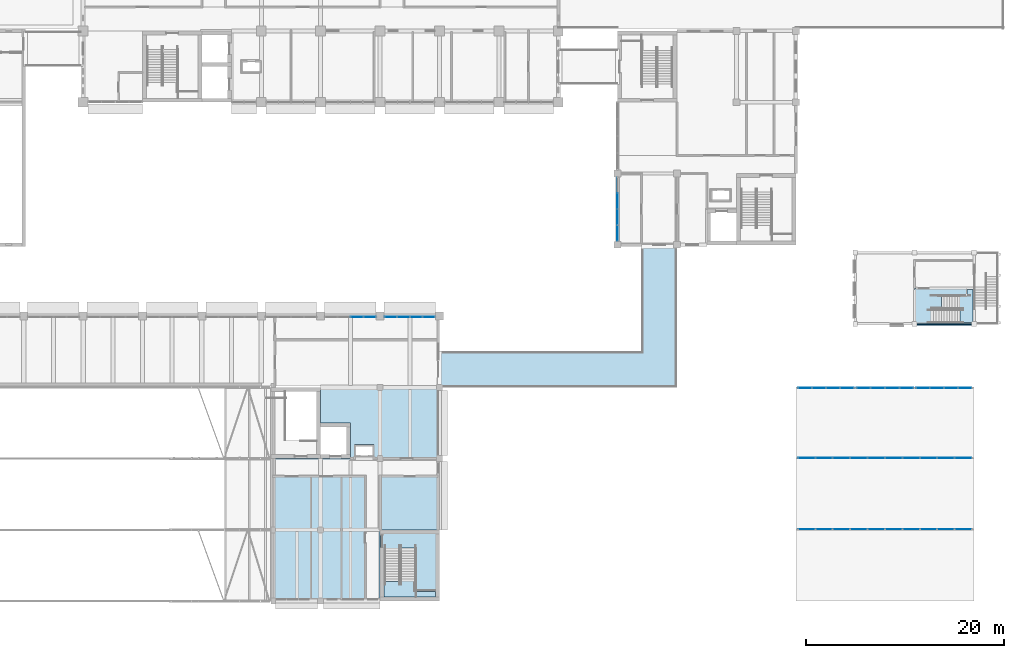
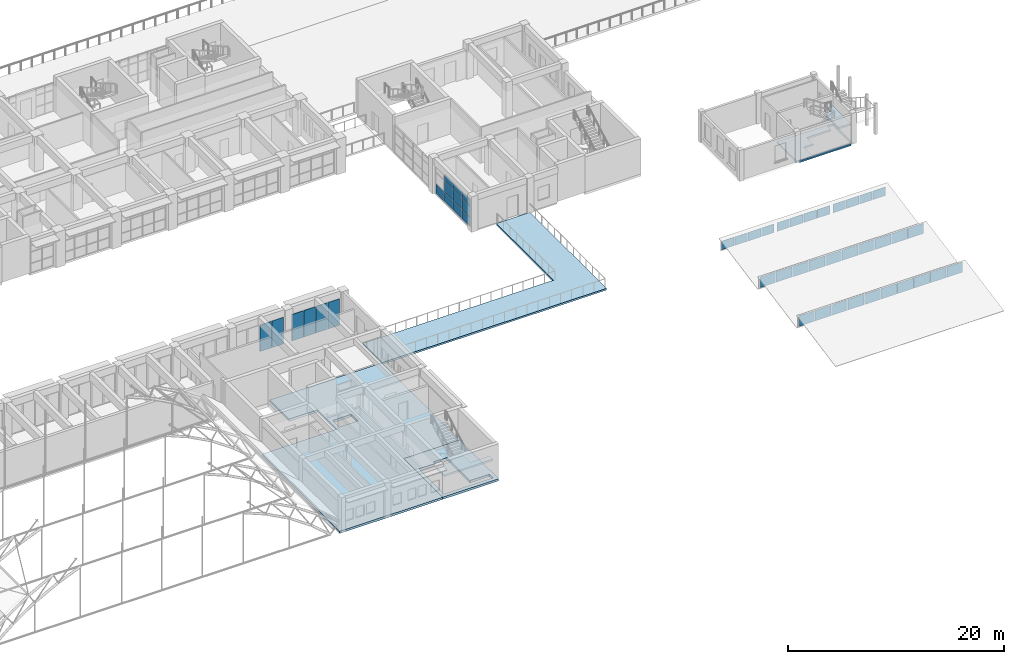
# One storey, part 62 of 101: 48 plates, 7 slabs, 10 elements without a shape of their own.
"""IFC4 building model written with IfcOpenShell, lengths in metres."""

from ifc_helpers import new_model, si_unit, direction, frame, origin, origin_2d, place, context, subcontext, project, spatial, polyline, rectangle, outline, extrude, material, layer, layer_set, type_object, element, aggregate, save


model = new_model("IFC4")

# Units and contexts
model_context = context("Model", 3, precision=1e-05, world=origin(), true_north=direction((0.0, 1.0)))
body_context = subcontext(model_context, "Body", "Model", "MODEL_VIEW")
ifc_project = project(units=[si_unit("LENGTHUNIT", "METRE"), si_unit("AREAUNIT", "SQUARE_METRE"), si_unit("VOLUMEUNIT", "CUBIC_METRE"), si_unit("PLANEANGLEUNIT", "RADIAN"), si_unit("MASSUNIT", "GRAM", prefix="KILO")], contexts=[model_context])

# Site, building, storey
site_placement = place(None, origin())
site = spatial("IfcSite", under=ifc_project, at=site_placement, CompositionType="ELEMENT")
building_placement = place(site_placement, origin())
building = spatial("IfcBuilding", under=site, at=building_placement, Name="Laocheng Heights Fire and Rescue Headquarters", CompositionType="ELEMENT")
storey_placement = place(building_placement, frame((0.0, 0.0, 8.39990234375)))
storey = spatial("IfcBuildingStorey", under=building, at=storey_placement, Name="L02", CompositionType="ELEMENT", Elevation=8.39990234375)

# Curtain wall, plates
ifc_material_1 = material(Name="Dark anodised aluminium unitised curtain wall, low-e double glazing", Category="aluminium")
curtain_wall_type_1 = type_object("IfcCurtainWallType", Name="CW 6500 x 3200 CREW COURT GLAZING", PredefinedType="NOTDEFINED", material=ifc_material_1)
curtain_wall_1_placement = place(storey_placement, origin())
curtain_wall_1 = element("IfcCurtainWall", 1, at=curtain_wall_1_placement, inside=storey, type_object=curtain_wall_type_1, Name="X4-W CREW WEST L02", PredefinedType="NOTDEFINED")
ifc_material_2 = material(Name="Laminated safety glass, low-e double glazed unit", Category="glass")
ifc_layer_1 = layer(ifc_material_2, 0.0400390625)
ifc_layer_set_1 = layer_set([ifc_layer_1], Name="Laminated safety glass, low-e double glazed unit")
plate_type_1 = type_object("IfcPlateType", Name="CW LAMINATED SAFETY PANEL 40 W", PredefinedType="CURTAIN_PANEL", material=ifc_layer_set_1)
plate_1_placement = place(storey_placement, frame((90.0, 37.177490234375, 0.050048828125), z_axis=(0.0, 0.0, 1.0), x_axis=(0.0, 1.0, 0.0)))
plate_1 = element("IfcPlate", 2, at=plate_1_placement, type_object=plate_type_1, Name="X4-W panel 1.1", PredefinedType="CURTAIN_PANEL", context=body_context, shape_type="SweptSolid", body=[
    extrude(rectangle(XDim=1.534912109375, YDim=0.0400390625, at=origin_2d()), origin(), (0.0, 0.0, 1.0), 1.02490234375),
])
plate_2_placement = place(storey_placement, frame((90.0, 38.78759765625, 0.050048828125), z_axis=(0.0, 0.0, 1.0), x_axis=(0.0, 1.0, 0.0)))
plate_2 = element("IfcPlate", 3, at=plate_2_placement, type_object=plate_type_1, Name="X4-W panel 2.1", PredefinedType="CURTAIN_PANEL", context=body_context, shape_type="SweptSolid", body=[
    extrude(rectangle(XDim=1.56494140625, YDim=0.0400390625, at=origin_2d()), origin(), (0.0, 0.0, 1.0), 1.02490234375),
])
plate_3_placement = place(storey_placement, frame((90.0, 40.41259765625, 0.050048828125), z_axis=(0.0, 0.0, 1.0), x_axis=(0.0, 1.0, 0.0)))
plate_3 = element("IfcPlate", 4, at=plate_3_placement, type_object=plate_type_1, Name="X4-W panel 3.1", PredefinedType="CURTAIN_PANEL", context=body_context, shape_type="SweptSolid", body=[
    extrude(rectangle(XDim=1.56494140625, YDim=0.0400390625, at=origin_2d()), origin(), (0.0, 0.0, 1.0), 1.02490234375),
])
plate_4_placement = place(storey_placement, frame((90.0, 42.0224609375, 0.050048828125), z_axis=(0.0, 0.0, 1.0), x_axis=(0.0, 1.0, 0.0)))
plate_4 = element("IfcPlate", 5, at=plate_4_placement, type_object=plate_type_1, Name="X4-W panel 4.1", PredefinedType="CURTAIN_PANEL", context=body_context, shape_type="SweptSolid", body=[
    extrude(rectangle(XDim=1.534912109375, YDim=0.0400390625, at=origin_2d()), origin(), (0.0, 0.0, 1.0), 1.02490234375),
])

ifc_material_3 = material(Name="Aluminium unitised curtain wall, low-e double glazing", Category="aluminium")
curtain_wall_type_2 = type_object("IfcCurtainWallType", Name="CW 5200 x 3200 GALLERY UNIT", PredefinedType="NOTDEFINED", material=ifc_material_3)
curtain_wall_2_placement = place(storey_placement, origin())
curtain_wall_2 = element("IfcCurtainWall", 6, at=curtain_wall_2_placement, inside=storey, type_object=curtain_wall_type_2, Name="Gallery north glazing L02", PredefinedType="NOTDEFINED")
ifc_material_4 = material(Name="Aluminium shadow-box panel, insulated and back-painted", Category="aluminium")
ifc_layer_2 = layer(ifc_material_4, 0.06005859375)
ifc_layer_set_2 = layer_set([ifc_layer_2], Name="Aluminium shadow-box panel, insulated and back-painted")
plate_type_2 = type_object("IfcPlateType", Name="CW SHADOW BOX PANEL 60", PredefinedType="CURTAIN_PANEL", material=ifc_layer_set_2)
plate_5_placement = place(storey_placement, frame((63.64990234375, 28.699951171875, 0.10009765625), z_axis=(0.0, 0.0, 1.0), x_axis=(1.0, 0.0, 0.0)))
plate_5 = element("IfcPlate", 7, at=plate_5_placement, type_object=plate_type_2, Name="X4-E panel 3.1", PredefinedType="CURTAIN_PANEL", context=body_context, shape_type="SweptSolid", body=[
    extrude(rectangle(XDim=1.239990234375, YDim=0.06005859375, at=origin_2d()), origin(), (0.0, 0.0, 1.0), 3.0),
])
plate_6_placement = place(storey_placement, frame((64.93505859375, 28.699951171875, 0.10009765625), z_axis=(0.0, 0.0, 1.0), x_axis=(1.0, 0.0, 0.0)))
plate_6 = element("IfcPlate", 8, at=plate_6_placement, type_object=plate_type_2, Name="X4-E panel 4.1", PredefinedType="CURTAIN_PANEL", context=body_context, shape_type="SweptSolid", body=[
    extrude(rectangle(XDim=1.2099609375, YDim=0.06005859375, at=origin_2d()), origin(), (0.0, 0.0, 1.0), 3.0),
])
aggregate(curtain_wall_2, [plate_5, plate_6])

curtain_wall_3_placement = place(storey_placement, origin())
curtain_wall_3 = element("IfcCurtainWall", 9, at=curtain_wall_3_placement, inside=storey, type_object=curtain_wall_type_2, Name="Gallery north glazing L02", PredefinedType="NOTDEFINED")
plate_7_placement = place(storey_placement, frame((67.06494140625, 28.699951171875, 0.10009765625), z_axis=(0.0, 0.0, 1.0), x_axis=(1.0, 0.0, 0.0)))
plate_7 = element("IfcPlate", 10, at=plate_7_placement, type_object=plate_type_2, Name="X4-E panel 1.1", PredefinedType="CURTAIN_PANEL", context=body_context, shape_type="SweptSolid", body=[
    extrude(rectangle(XDim=1.2099609375, YDim=0.06005859375, at=origin_2d()), origin(), (0.0, 0.0, 1.0), 3.0),
])
plate_8_placement = place(storey_placement, frame((68.35009765625, 28.699951171875, 0.10009765625), z_axis=(0.0, 0.0, 1.0), x_axis=(1.0, 0.0, 0.0)))
plate_8 = element("IfcPlate", 11, at=plate_8_placement, type_object=plate_type_2, Name="X4-E panel 2.1", PredefinedType="CURTAIN_PANEL", context=body_context, shape_type="SweptSolid", body=[
    extrude(rectangle(XDim=1.239990234375, YDim=0.06005859375, at=origin_2d()), origin(), (0.0, 0.0, 1.0), 3.0),
])
plate_9_placement = place(storey_placement, frame((69.64990234375, 28.699951171875, 0.10009765625), z_axis=(0.0, 0.0, 1.0), x_axis=(1.0, 0.0, 0.0)))
plate_9 = element("IfcPlate", 12, at=plate_9_placement, type_object=plate_type_2, Name="X4-E panel 3.1", PredefinedType="CURTAIN_PANEL", context=body_context, shape_type="SweptSolid", body=[
    extrude(rectangle(XDim=1.239990234375, YDim=0.06005859375, at=origin_2d()), origin(), (0.0, 0.0, 1.0), 3.0),
])
plate_10_placement = place(storey_placement, frame((70.93505859375, 28.699951171875, 0.10009765625), z_axis=(0.0, 0.0, 1.0), x_axis=(1.0, 0.0, 0.0)))
plate_10 = element("IfcPlate", 13, at=plate_10_placement, type_object=plate_type_2, Name="X4-E panel 4.1", PredefinedType="CURTAIN_PANEL", context=body_context, shape_type="SweptSolid", body=[
    extrude(rectangle(XDim=1.2099609375, YDim=0.06005859375, at=origin_2d()), origin(), (0.0, 0.0, 1.0), 3.0),
])
aggregate(curtain_wall_3, [plate_7, plate_8, plate_9, plate_10])

ifc_material_5 = material(Name="Aluminium unitised curtain wall, low-e double glazing", Category="aluminium")
curtain_wall_type_3 = type_object("IfcCurtainWallType", Name="CW 17600 x 1388 WORKSHOP UNIT", PredefinedType="NOTDEFINED", material=ifc_material_5)
curtain_wall_4_placement = place(storey_placement, origin())
curtain_wall_4 = element("IfcCurtainWall", 14, at=curtain_wall_4_placement, inside=storey, type_object=curtain_wall_type_3, Name="Sawtooth glazing tooth 1", PredefinedType="NOTDEFINED")
ifc_material_6 = material(Name="Low-e double glazed unit, laminated inner pane")
ifc_layer_3 = layer(ifc_material_6, 0.028076171875)
ifc_layer_set_3 = layer_set([ifc_layer_3], Name="Low-e double glazed unit, laminated inner pane")
plate_type_3 = type_object("IfcPlateType", Name="CW VISION PANEL 28 LOW-E SAWTOOTH", PredefinedType="CURTAIN_PANEL", material=ifc_layer_set_3)
plate_11_placement = place(storey_placement, frame((109.094970703125, 7.260009765625, 0.11181640625), z_axis=(0.0, 0.0, 1.0), x_axis=(1.0, 0.0, 0.0)))
plate_11 = element("IfcPlate", 15, at=plate_11_placement, type_object=plate_type_3, Name="X1-O panel 1.1", PredefinedType="CURTAIN_PANEL", context=body_context, shape_type="SweptSolid", body=[
    extrude(rectangle(XDim=1.669921875, YDim=0.028076171875, at=origin_2d()), origin(), (0.0, 0.0, 1.0), 1.188232421875),
])
plate_12_placement = place(storey_placement, frame((110.840087890625, 7.260009765625, 0.11181640625), z_axis=(0.0, 0.0, 1.0), x_axis=(1.0, 0.0, 0.0)))
plate_12 = element("IfcPlate", 16, at=plate_12_placement, type_object=plate_type_3, Name="X1-O panel 2.1", PredefinedType="CURTAIN_PANEL", context=body_context, shape_type="SweptSolid", body=[
    extrude(rectangle(XDim=1.699951171875, YDim=0.028076171875, at=origin_2d()), origin(), (0.0, 0.0, 1.0), 1.188232421875),
])
plate_13_placement = place(storey_placement, frame((112.60009765625, 7.260009765625, 0.11181640625), z_axis=(0.0, 0.0, 1.0), x_axis=(1.0, 0.0, 0.0)))
plate_13 = element("IfcPlate", 17, at=plate_13_placement, type_object=plate_type_3, Name="X1-O panel 3.1", PredefinedType="CURTAIN_PANEL", context=body_context, shape_type="SweptSolid", body=[
    extrude(rectangle(XDim=1.699951171875, YDim=0.028076171875, at=origin_2d()), origin(), (0.0, 0.0, 1.0), 1.188232421875),
])
plate_14_placement = place(storey_placement, frame((114.360107421875, 7.260009765625, 0.11181640625), z_axis=(0.0, 0.0, 1.0), x_axis=(1.0, 0.0, 0.0)))
plate_14 = element("IfcPlate", 18, at=plate_14_placement, type_object=plate_type_3, Name="X1-O panel 4.1", PredefinedType="CURTAIN_PANEL", context=body_context, shape_type="SweptSolid", body=[
    extrude(rectangle(XDim=1.699951171875, YDim=0.028076171875, at=origin_2d()), origin(), (0.0, 0.0, 1.0), 1.188232421875),
])
plate_15_placement = place(storey_placement, frame((116.1201171875, 7.260009765625, 0.11181640625), z_axis=(0.0, 0.0, 1.0), x_axis=(1.0, 0.0, 0.0)))
plate_15 = element("IfcPlate", 19, at=plate_15_placement, type_object=plate_type_3, Name="X1-O panel 5.1", PredefinedType="CURTAIN_PANEL", context=body_context, shape_type="SweptSolid", body=[
    extrude(rectangle(XDim=1.699951171875, YDim=0.028076171875, at=origin_2d()), origin(), (0.0, 0.0, 1.0), 1.188232421875),
])
plate_16_placement = place(storey_placement, frame((117.8798828125, 7.260009765625, 0.11181640625), z_axis=(0.0, 0.0, 1.0), x_axis=(1.0, 0.0, 0.0)))
plate_16 = element("IfcPlate", 20, at=plate_16_placement, type_object=plate_type_3, Name="X1-O panel 6.1", PredefinedType="CURTAIN_PANEL", context=body_context, shape_type="SweptSolid", body=[
    extrude(rectangle(XDim=1.699951171875, YDim=0.028076171875, at=origin_2d()), origin(), (0.0, 0.0, 1.0), 1.188232421875),
])
plate_17_placement = place(storey_placement, frame((119.639892578125, 7.260009765625, 0.11181640625), z_axis=(0.0, 0.0, 1.0), x_axis=(1.0, 0.0, 0.0)))
plate_17 = element("IfcPlate", 21, at=plate_17_placement, type_object=plate_type_3, Name="X1-O panel 7.1", PredefinedType="CURTAIN_PANEL", context=body_context, shape_type="SweptSolid", body=[
    extrude(rectangle(XDim=1.699951171875, YDim=0.028076171875, at=origin_2d()), origin(), (0.0, 0.0, 1.0), 1.188232421875),
])
plate_18_placement = place(storey_placement, frame((121.39990234375, 7.260009765625, 0.11181640625), z_axis=(0.0, 0.0, 1.0), x_axis=(1.0, 0.0, 0.0)))
plate_18 = element("IfcPlate", 22, at=plate_18_placement, type_object=plate_type_3, Name="X1-O panel 8.1", PredefinedType="CURTAIN_PANEL", context=body_context, shape_type="SweptSolid", body=[
    extrude(rectangle(XDim=1.699951171875, YDim=0.028076171875, at=origin_2d()), origin(), (0.0, 0.0, 1.0), 1.188232421875),
])
plate_19_placement = place(storey_placement, frame((123.159912109375, 7.260009765625, 0.11181640625), z_axis=(0.0, 0.0, 1.0), x_axis=(1.0, 0.0, 0.0)))
plate_19 = element("IfcPlate", 23, at=plate_19_placement, type_object=plate_type_3, Name="X1-O panel 9.1", PredefinedType="CURTAIN_PANEL", context=body_context, shape_type="SweptSolid", body=[
    extrude(rectangle(XDim=1.699951171875, YDim=0.028076171875, at=origin_2d()), origin(), (0.0, 0.0, 1.0), 1.188232421875),
])
plate_20_placement = place(storey_placement, frame((124.905029296875, 7.260009765625, 0.11181640625), z_axis=(0.0, 0.0, 1.0), x_axis=(1.0, 0.0, 0.0)))
plate_20 = element("IfcPlate", 24, at=plate_20_placement, type_object=plate_type_3, Name="X1-O panel 10.1", PredefinedType="CURTAIN_PANEL", context=body_context, shape_type="SweptSolid", body=[
    extrude(rectangle(XDim=1.669921875, YDim=0.028076171875, at=origin_2d()), origin(), (0.0, 0.0, 1.0), 1.188232421875),
])
aggregate(curtain_wall_4, [plate_11, plate_12, plate_13, plate_14, plate_15, plate_16, plate_17, plate_18, plate_19, plate_20])

curtain_wall_5_placement = place(storey_placement, origin())
curtain_wall_5 = element("IfcCurtainWall", 25, at=curtain_wall_5_placement, inside=storey, type_object=curtain_wall_type_3, Name="Sawtooth glazing tooth 2", PredefinedType="NOTDEFINED")
plate_21_placement = place(storey_placement, frame((109.094970703125, 14.4599609375, 0.11181640625), z_axis=(0.0, 0.0, 1.0), x_axis=(1.0, 0.0, 0.0)))
plate_21 = element("IfcPlate", 26, at=plate_21_placement, type_object=plate_type_3, Name="X1-O panel 1.1", PredefinedType="CURTAIN_PANEL", context=body_context, shape_type="SweptSolid", body=[
    extrude(rectangle(XDim=1.669921875, YDim=0.028076171875, at=origin_2d()), origin(), (0.0, 0.0, 1.0), 1.188232421875),
])
plate_22_placement = place(storey_placement, frame((110.840087890625, 14.4599609375, 0.11181640625), z_axis=(0.0, 0.0, 1.0), x_axis=(1.0, 0.0, 0.0)))
plate_22 = element("IfcPlate", 27, at=plate_22_placement, type_object=plate_type_3, Name="X1-O panel 2.1", PredefinedType="CURTAIN_PANEL", context=body_context, shape_type="SweptSolid", body=[
    extrude(rectangle(XDim=1.699951171875, YDim=0.028076171875, at=origin_2d()), origin(), (0.0, 0.0, 1.0), 1.188232421875),
])
plate_23_placement = place(storey_placement, frame((112.60009765625, 14.4599609375, 0.11181640625), z_axis=(0.0, 0.0, 1.0), x_axis=(1.0, 0.0, 0.0)))
plate_23 = element("IfcPlate", 28, at=plate_23_placement, type_object=plate_type_3, Name="X1-O panel 3.1", PredefinedType="CURTAIN_PANEL", context=body_context, shape_type="SweptSolid", body=[
    extrude(rectangle(XDim=1.699951171875, YDim=0.028076171875, at=origin_2d()), origin(), (0.0, 0.0, 1.0), 1.188232421875),
])
plate_24_placement = place(storey_placement, frame((114.360107421875, 14.4599609375, 0.11181640625), z_axis=(0.0, 0.0, 1.0), x_axis=(1.0, 0.0, 0.0)))
plate_24 = element("IfcPlate", 29, at=plate_24_placement, type_object=plate_type_3, Name="X1-O panel 4.1", PredefinedType="CURTAIN_PANEL", context=body_context, shape_type="SweptSolid", body=[
    extrude(rectangle(XDim=1.699951171875, YDim=0.028076171875, at=origin_2d()), origin(), (0.0, 0.0, 1.0), 1.188232421875),
])
plate_25_placement = place(storey_placement, frame((116.1201171875, 14.4599609375, 0.11181640625), z_axis=(0.0, 0.0, 1.0), x_axis=(1.0, 0.0, 0.0)))
plate_25 = element("IfcPlate", 30, at=plate_25_placement, type_object=plate_type_3, Name="X1-O panel 5.1", PredefinedType="CURTAIN_PANEL", context=body_context, shape_type="SweptSolid", body=[
    extrude(rectangle(XDim=1.699951171875, YDim=0.028076171875, at=origin_2d()), origin(), (0.0, 0.0, 1.0), 1.188232421875),
])
plate_26_placement = place(storey_placement, frame((117.8798828125, 14.4599609375, 0.11181640625), z_axis=(0.0, 0.0, 1.0), x_axis=(1.0, 0.0, 0.0)))
plate_26 = element("IfcPlate", 31, at=plate_26_placement, type_object=plate_type_3, Name="X1-O panel 6.1", PredefinedType="CURTAIN_PANEL", context=body_context, shape_type="SweptSolid", body=[
    extrude(rectangle(XDim=1.699951171875, YDim=0.028076171875, at=origin_2d()), origin(), (0.0, 0.0, 1.0), 1.188232421875),
])
plate_27_placement = place(storey_placement, frame((119.639892578125, 14.4599609375, 0.11181640625), z_axis=(0.0, 0.0, 1.0), x_axis=(1.0, 0.0, 0.0)))
plate_27 = element("IfcPlate", 32, at=plate_27_placement, type_object=plate_type_3, Name="X1-O panel 7.1", PredefinedType="CURTAIN_PANEL", context=body_context, shape_type="SweptSolid", body=[
    extrude(rectangle(XDim=1.699951171875, YDim=0.028076171875, at=origin_2d()), origin(), (0.0, 0.0, 1.0), 1.188232421875),
])
plate_28_placement = place(storey_placement, frame((121.39990234375, 14.4599609375, 0.11181640625), z_axis=(0.0, 0.0, 1.0), x_axis=(1.0, 0.0, 0.0)))
plate_28 = element("IfcPlate", 33, at=plate_28_placement, type_object=plate_type_3, Name="X1-O panel 8.1", PredefinedType="CURTAIN_PANEL", context=body_context, shape_type="SweptSolid", body=[
    extrude(rectangle(XDim=1.699951171875, YDim=0.028076171875, at=origin_2d()), origin(), (0.0, 0.0, 1.0), 1.188232421875),
])
plate_29_placement = place(storey_placement, frame((123.159912109375, 14.4599609375, 0.11181640625), z_axis=(0.0, 0.0, 1.0), x_axis=(1.0, 0.0, 0.0)))
plate_29 = element("IfcPlate", 34, at=plate_29_placement, type_object=plate_type_3, Name="X1-O panel 9.1", PredefinedType="CURTAIN_PANEL", context=body_context, shape_type="SweptSolid", body=[
    extrude(rectangle(XDim=1.699951171875, YDim=0.028076171875, at=origin_2d()), origin(), (0.0, 0.0, 1.0), 1.188232421875),
])
plate_30_placement = place(storey_placement, frame((124.905029296875, 14.4599609375, 0.11181640625), z_axis=(0.0, 0.0, 1.0), x_axis=(1.0, 0.0, 0.0)))
plate_30 = element("IfcPlate", 35, at=plate_30_placement, type_object=plate_type_3, Name="X1-O panel 10.1", PredefinedType="CURTAIN_PANEL", context=body_context, shape_type="SweptSolid", body=[
    extrude(rectangle(XDim=1.669921875, YDim=0.028076171875, at=origin_2d()), origin(), (0.0, 0.0, 1.0), 1.188232421875),
])
aggregate(curtain_wall_5, [plate_21, plate_22, plate_23, plate_24, plate_25, plate_26, plate_27, plate_28, plate_29, plate_30])

ifc_material_7 = material(Name="Aluminium unitised curtain wall, low-e double glazing", Category="aluminium")
curtain_wall_type_4 = type_object("IfcCurtainWallType", Name="CW 5700 x 1173 WORKSHOP UNIT", PredefinedType="NOTDEFINED", material=ifc_material_7)
curtain_wall_6_placement = place(storey_placement, origin())
curtain_wall_6 = element("IfcCurtainWall", 36, at=curtain_wall_6_placement, inside=storey, type_object=curtain_wall_type_4, Name="Sawtooth glazing tooth 3", PredefinedType="NOTDEFINED")
plate_31_placement = place(storey_placement, frame((108.927490234375, 21.5400390625, 0.10009765625), z_axis=(0.0, 0.0, 1.0), x_axis=(1.0, 0.0, 0.0)))
plate_31 = element("IfcPlate", 37, at=plate_31_placement, type_object=plate_type_3, Name="X2-O panel 1.1", PredefinedType="CURTAIN_PANEL", context=body_context, shape_type="SweptSolid", body=[
    extrude(rectangle(XDim=1.3349609375, YDim=0.028076171875, at=origin_2d()), origin(), (0.0, 0.0, 1.0), 0.972900390625),
])
plate_32_placement = place(storey_placement, frame((110.33740234375, 21.5400390625, 0.10009765625), z_axis=(0.0, 0.0, 1.0), x_axis=(1.0, 0.0, 0.0)))
plate_32 = element("IfcPlate", 38, at=plate_32_placement, type_object=plate_type_3, Name="X2-O panel 2.1", PredefinedType="CURTAIN_PANEL", context=body_context, shape_type="SweptSolid", body=[
    extrude(rectangle(XDim=1.364990234375, YDim=0.028076171875, at=origin_2d()), origin(), (0.0, 0.0, 1.0), 0.972900390625),
])
plate_33_placement = place(storey_placement, frame((111.762451171875, 21.5400390625, 0.10009765625), z_axis=(0.0, 0.0, 1.0), x_axis=(1.0, 0.0, 0.0)))
plate_33 = element("IfcPlate", 39, at=plate_33_placement, type_object=plate_type_3, Name="X2-O panel 3.1", PredefinedType="CURTAIN_PANEL", context=body_context, shape_type="SweptSolid", body=[
    extrude(rectangle(XDim=1.364990234375, YDim=0.028076171875, at=origin_2d()), origin(), (0.0, 0.0, 1.0), 0.972900390625),
])
plate_34_placement = place(storey_placement, frame((113.172607421875, 21.5400390625, 0.10009765625), z_axis=(0.0, 0.0, 1.0), x_axis=(1.0, 0.0, 0.0)))
plate_34 = element("IfcPlate", 40, at=plate_34_placement, type_object=plate_type_3, Name="X2-O panel 4.1", PredefinedType="CURTAIN_PANEL", context=body_context, shape_type="SweptSolid", body=[
    extrude(rectangle(XDim=1.3349609375, YDim=0.028076171875, at=origin_2d()), origin(), (0.0, 0.0, 1.0), 0.972900390625),
])
aggregate(curtain_wall_6, [plate_31, plate_32, plate_33, plate_34])

ifc_material_8 = material(Name="Aluminium unitised curtain wall, low-e double glazing", Category="aluminium")
curtain_wall_type_5 = type_object("IfcCurtainWallType", Name="CW 5800 x 1173 WORKSHOP UNIT", PredefinedType="NOTDEFINED", material=ifc_material_8)
curtain_wall_7_placement = place(storey_placement, origin())
curtain_wall_7 = element("IfcCurtainWall", 41, at=curtain_wall_7_placement, inside=storey, type_object=curtain_wall_type_5, Name="Sawtooth glazing tooth 3", PredefinedType="NOTDEFINED")
plate_35_placement = place(storey_placement, frame((114.840087890625, 21.5400390625, 0.10009765625), z_axis=(0.0, 0.0, 1.0), x_axis=(1.0, 0.0, 0.0)))
plate_35 = element("IfcPlate", 42, at=plate_35_placement, type_object=plate_type_3, Name="X3-O panel 1.1", PredefinedType="CURTAIN_PANEL", context=body_context, shape_type="SweptSolid", body=[
    extrude(rectangle(XDim=1.360107421875, YDim=0.028076171875, at=origin_2d()), origin(), (0.0, 0.0, 1.0), 0.972900390625),
])
plate_36_placement = place(storey_placement, frame((116.27490234375, 21.5400390625, 0.10009765625), z_axis=(0.0, 0.0, 1.0), x_axis=(1.0, 0.0, 0.0)))
plate_36 = element("IfcPlate", 43, at=plate_36_placement, type_object=plate_type_3, Name="X3-O panel 2.1", PredefinedType="CURTAIN_PANEL", context=body_context, shape_type="SweptSolid", body=[
    extrude(rectangle(XDim=1.389892578125, YDim=0.028076171875, at=origin_2d()), origin(), (0.0, 0.0, 1.0), 0.972900390625),
])
plate_37_placement = place(storey_placement, frame((117.72509765625, 21.5400390625, 0.10009765625), z_axis=(0.0, 0.0, 1.0), x_axis=(1.0, 0.0, 0.0)))
plate_37 = element("IfcPlate", 44, at=plate_37_placement, type_object=plate_type_3, Name="X3-O panel 3.1", PredefinedType="CURTAIN_PANEL", context=body_context, shape_type="SweptSolid", body=[
    extrude(rectangle(XDim=1.389892578125, YDim=0.028076171875, at=origin_2d()), origin(), (0.0, 0.0, 1.0), 0.972900390625),
])
plate_38_placement = place(storey_placement, frame((119.159912109375, 21.5400390625, 0.10009765625), z_axis=(0.0, 0.0, 1.0), x_axis=(1.0, 0.0, 0.0)))
plate_38 = element("IfcPlate", 45, at=plate_38_placement, type_object=plate_type_3, Name="X3-O panel 4.1", PredefinedType="CURTAIN_PANEL", context=body_context, shape_type="SweptSolid", body=[
    extrude(rectangle(XDim=1.360107421875, YDim=0.028076171875, at=origin_2d()), origin(), (0.0, 0.0, 1.0), 0.972900390625),
])
aggregate(curtain_wall_7, [plate_35, plate_36, plate_37, plate_38])

curtain_wall_8_placement = place(storey_placement, origin())
curtain_wall_8 = element("IfcCurtainWall", 46, at=curtain_wall_8_placement, inside=storey, type_object=curtain_wall_type_4, Name="Sawtooth glazing tooth 3", PredefinedType="NOTDEFINED")
plate_39_placement = place(storey_placement, frame((120.827392578125, 21.5400390625, 0.10009765625), z_axis=(0.0, 0.0, 1.0), x_axis=(1.0, 0.0, 0.0)))
plate_39 = element("IfcPlate", 47, at=plate_39_placement, type_object=plate_type_3, Name="X2-O panel 1.1", PredefinedType="CURTAIN_PANEL", context=body_context, shape_type="SweptSolid", body=[
    extrude(rectangle(XDim=1.3349609375, YDim=0.028076171875, at=origin_2d()), origin(), (0.0, 0.0, 1.0), 0.972900390625),
])
plate_40_placement = place(storey_placement, frame((122.237548828125, 21.5400390625, 0.10009765625), z_axis=(0.0, 0.0, 1.0), x_axis=(1.0, 0.0, 0.0)))
plate_40 = element("IfcPlate", 48, at=plate_40_placement, type_object=plate_type_3, Name="X2-O panel 2.1", PredefinedType="CURTAIN_PANEL", context=body_context, shape_type="SweptSolid", body=[
    extrude(rectangle(XDim=1.364990234375, YDim=0.028076171875, at=origin_2d()), origin(), (0.0, 0.0, 1.0), 0.972900390625),
])
plate_41_placement = place(storey_placement, frame((123.66259765625, 21.5400390625, 0.10009765625), z_axis=(0.0, 0.0, 1.0), x_axis=(1.0, 0.0, 0.0)))
plate_41 = element("IfcPlate", 49, at=plate_41_placement, type_object=plate_type_3, Name="X2-O panel 3.1", PredefinedType="CURTAIN_PANEL", context=body_context, shape_type="SweptSolid", body=[
    extrude(rectangle(XDim=1.364990234375, YDim=0.028076171875, at=origin_2d()), origin(), (0.0, 0.0, 1.0), 0.972900390625),
])
plate_42_placement = place(storey_placement, frame((125.072509765625, 21.5400390625, 0.10009765625), z_axis=(0.0, 0.0, 1.0), x_axis=(1.0, 0.0, 0.0)))
plate_42 = element("IfcPlate", 50, at=plate_42_placement, type_object=plate_type_3, Name="X2-O panel 4.1", PredefinedType="CURTAIN_PANEL", context=body_context, shape_type="SweptSolid", body=[
    extrude(rectangle(XDim=1.3349609375, YDim=0.028076171875, at=origin_2d()), origin(), (0.0, 0.0, 1.0), 0.972900390625),
])
aggregate(curtain_wall_8, [plate_39, plate_40, plate_41, plate_42])

# Plate
ifc_material_9 = material(Name="Low-e double glazed unit, laminated inner pane")
ifc_layer_4 = layer(ifc_material_9, 0.028076171875)
ifc_layer_set_4 = layer_set([ifc_layer_4], Name="Low-e double glazed unit, laminated inner pane")
plate_type_4 = type_object("IfcPlateType", Name="CW VISION PANEL 28 W", PredefinedType="CURTAIN_PANEL", material=ifc_layer_set_4)
plate_43_placement = place(storey_placement, frame((90.0, 37.177490234375, 1.125), z_axis=(0.0, 0.0, 1.0), x_axis=(0.0, 1.0, 0.0)))
plate_43 = element("IfcPlate", 51, at=plate_43_placement, type_object=plate_type_4, Name="X4-W panel 1.2", PredefinedType="CURTAIN_PANEL", context=body_context, shape_type="SweptSolid", body=[
    extrude(rectangle(XDim=1.534912109375, YDim=0.028076171875, at=origin_2d()), origin(), (0.0, 0.0, 1.0), 1.25),
])

plate_44_placement = place(storey_placement, frame((90.0, 37.177490234375, 2.425048828125), z_axis=(0.0, 0.0, 1.0), x_axis=(0.0, 1.0, 0.0)))
plate_44 = element("IfcPlate", 52, at=plate_44_placement, type_object=plate_type_4, Name="X4-W panel 1.3", PredefinedType="CURTAIN_PANEL", context=body_context, shape_type="SweptSolid", body=[
    extrude(rectangle(XDim=1.534912109375, YDim=0.028076171875, at=origin_2d()), origin(), (0.0, 0.0, 1.0), 0.72509765625),
])

plate_45_placement = place(storey_placement, frame((90.0, 38.78759765625, 1.125), z_axis=(0.0, 0.0, 1.0), x_axis=(0.0, 1.0, 0.0)))
plate_45 = element("IfcPlate", 53, at=plate_45_placement, type_object=plate_type_4, Name="X4-W panel 2.2", PredefinedType="CURTAIN_PANEL", context=body_context, shape_type="SweptSolid", body=[
    extrude(rectangle(XDim=1.56494140625, YDim=0.028076171875, at=origin_2d()), origin(), (0.0, 0.0, 1.0), 1.25),
])

plate_46_placement = place(storey_placement, frame((90.0, 38.78759765625, 2.425048828125), z_axis=(0.0, 0.0, 1.0), x_axis=(0.0, 1.0, 0.0)))
plate_46 = element("IfcPlate", 54, at=plate_46_placement, type_object=plate_type_4, Name="X4-W panel 2.3", PredefinedType="CURTAIN_PANEL", context=body_context, shape_type="SweptSolid", body=[
    extrude(rectangle(XDim=1.56494140625, YDim=0.028076171875, at=origin_2d()), origin(), (0.0, 0.0, 1.0), 0.72509765625),
])

plate_47_placement = place(storey_placement, frame((90.0, 40.41259765625, 1.125), z_axis=(0.0, 0.0, 1.0), x_axis=(0.0, 1.0, 0.0)))
plate_47 = element("IfcPlate", 55, at=plate_47_placement, type_object=plate_type_4, Name="X4-W panel 3.2", PredefinedType="CURTAIN_PANEL", context=body_context, shape_type="SweptSolid", body=[
    extrude(rectangle(XDim=1.56494140625, YDim=0.028076171875, at=origin_2d()), origin(), (0.0, 0.0, 1.0), 1.25),
])

plate_48_placement = place(storey_placement, frame((90.0, 40.41259765625, 2.425048828125), z_axis=(0.0, 0.0, 1.0), x_axis=(0.0, 1.0, 0.0)))
plate_48 = element("IfcPlate", 56, at=plate_48_placement, type_object=plate_type_4, Name="X4-W panel 3.3", PredefinedType="CURTAIN_PANEL", context=body_context, shape_type="SweptSolid", body=[
    extrude(rectangle(XDim=1.56494140625, YDim=0.028076171875, at=origin_2d()), origin(), (0.0, 0.0, 1.0), 0.72509765625),
])

aggregate(curtain_wall_1, [plate_1, plate_43, plate_44, plate_2, plate_45, plate_46, plate_3, plate_47, plate_48, plate_4])

# Slabs
ifc_material_10 = material(Name="Concrete C40", Category="concrete")
ifc_layer_5 = layer(ifc_material_10, 0.199951171875)
ifc_layer_set_5 = layer_set([ifc_layer_5], Name="Concrete C40")
slab_type_1 = type_object("IfcSlabType", Name="RC BRIDGE DECK 200", PredefinedType="FLOOR", material=ifc_layer_set_5)
slab_1_placement = place(storey_placement, frame((0.0, 0.0, -0.199951171875)))
element("IfcSlab", 57, at=slab_1_placement, inside=storey, type_object=slab_type_1, Name="Bridge B4 deck", PredefinedType="FLOOR", context=body_context, shape_type="SweptSolid", body=[
    extrude(outline(polyline([(96.0, 21.60009765625), (96.0, 35.77490234375), (92.39990234375, 35.77490234375), (92.39990234375, 25.199951171875), (72.050048828125, 25.199951171875), (72.050048828125, 21.60009765625), (96.0, 21.60009765625)])), origin(), (0.0, 0.0, 1.0), 0.199951171875),
])
ifc_material_11 = material(Name="Concrete C40", Category="concrete")
ifc_layer_6 = layer(ifc_material_11, 0.199951171875)
ifc_layer_set_6 = layer_set([ifc_layer_6], Name="Concrete C40")
slab_type_2 = type_object("IfcSlabType", Name="RC FLOOR SLAB 200 DRILL TOWER", PredefinedType="FLOOR", material=ifc_layer_set_6)
slab_2_placement = place(storey_placement, frame((0.0, 0.0, 1.900146484375)))
element("IfcSlab", 58, at=slab_2_placement, inside=storey, type_object=slab_type_2, Name="Drill tower floor F4", PredefinedType="FLOOR", context=body_context, shape_type="SweptSolid", body=[
    extrude(outline(polyline([(120.25, 27.875), (125.75, 27.875), (125.75, 28.0), (120.25, 28.0), (120.25, 27.875)])), origin(), (0.0, 0.0, 1.0), 0.199951171875),
])
ifc_material_12 = material(Name="Concrete C40", Category="concrete")
ifc_layer_7 = layer(ifc_material_12, 0.25)
ifc_layer_set_7 = layer_set([ifc_layer_7], Name="Concrete C40")
slab_type_3 = type_object("IfcSlabType", Name="RC FLOOR SLAB PAVILION 250", PredefinedType="FLOOR", material=ifc_layer_set_7)
slab_3_placement = place(storey_placement, frame((0.0, 0.0, -0.25)))
element("IfcSlab", 59, at=slab_3_placement, inside=storey, type_object=slab_type_3, Name="Pavilion second floor slab", PredefinedType="FLOOR", context=body_context, shape_type="SweptSolid", body=[
    extrude(outline(polyline([(72.0, 21.60009765625), (60.0, 21.60009765625), (60.0, 18.0), (63.0, 18.0), (63.0, 14.39990234375), (55.0, 14.39990234375), (55.0, 0.0), (66.0, 0.0), (66.0, 7.199951171875), (72.0, 7.199951171875), (72.0, 21.60009765625)]), holes=[polyline([(65.39990234375, 14.60009765625), (63.39990234375, 14.60009765625), (63.39990234375, 15.800048828125), (65.39990234375, 15.800048828125), (65.39990234375, 14.60009765625)])]), origin(), (0.0, 0.0, 1.0), 0.25),
])

# Stair, slab
ifc_material_13 = material(Name="Concrete C40", Category="concrete")
stair_type_1 = type_object("IfcStairType", Name="RC STAIR 1200 TWO FLIGHTS 20 RISERS OF 175 GOING 270", PredefinedType="HALF_TURN_STAIR", material=ifc_material_13)
stair_1_placement = place(storey_placement, origin())
stair_1 = element("IfcStair", 60, at=stair_1_placement, inside=storey, type_object=stair_type_1, Name="Stair T1 (F4 to F5)", PredefinedType="HALF_TURN_STAIR")
ifc_material_14 = material(Name="Concrete C40", Category="concrete")
ifc_layer_8 = layer(ifc_material_14, 0.199951171875)
ifc_layer_set_8 = layer_set([ifc_layer_8], Name="Concrete C40")
slab_type_4 = type_object("IfcSlabType", Name="STAIR FLOOR LANDING 200", PredefinedType="LANDING", material=ifc_layer_set_8)
slab_4_placement = place(storey_placement, frame((0.0, 0.0, 1.900146484375)))
slab_4 = element("IfcSlab", 61, at=slab_4_placement, type_object=slab_type_4, Name="Stair T1 floor landing F4", PredefinedType="LANDING", context=body_context, shape_type="SweptSolid", body=[
    extrude(outline(polyline([(120.0, 31.60009765625), (126.0, 31.60009765625), (126.0, 28.0), (120.0, 28.0), (120.0, 31.60009765625)]), holes=[polyline([(121.717041015625, 29.60009765625), (121.717041015625, 28.125), (124.592041015625, 28.125), (125.875, 28.125), (125.875, 29.60009765625), (125.875, 30.800048828125), (125.875, 31.47509765625), (125.27490234375, 31.47509765625), (125.27490234375, 30.800048828125), (124.503173828125, 30.800048828125), (122.7080078125, 30.800048828125), (122.7080078125, 29.60009765625), (121.717041015625, 29.60009765625)])]), origin(), (0.0, 0.0, 1.0), 0.199951171875),
])

# Stair, slabs
ifc_material_15 = material(Name="Concrete C40", Category="concrete")
stair_type_2 = type_object("IfcStairType", Name="RC STAIR 1400 TWO FLIGHTS 28 RISERS OF 150 GOING 260", PredefinedType="HALF_TURN_STAIR", material=ifc_material_15)
stair_2_placement = place(storey_placement, origin())
stair_2 = element("IfcStair", 62, at=stair_2_placement, inside=storey, type_object=stair_type_2, Name="Stair E2 (L02 to L03)", PredefinedType="HALF_TURN_STAIR")
ifc_material_16 = material(Name="Concrete C40", Category="concrete")
ifc_layer_9 = layer(ifc_material_16, 0.25)
ifc_layer_set_9 = layer_set([ifc_layer_9], Name="Concrete C40")
slab_type_5 = type_object("IfcSlabType", Name="STAIR FLOOR LANDING 250", PredefinedType="LANDING", material=ifc_layer_set_9)
slab_5_placement = place(storey_placement, frame((0.0, 0.0, -0.25)))
slab_5 = element("IfcSlab", 63, at=slab_5_placement, type_object=slab_type_5, Name="Stair E2 floor landing L02", PredefinedType="LANDING", context=body_context, shape_type="SweptSolid", body=[
    extrude(outline(polyline([(66.0, 7.199951171875), (72.0, 7.199951171875), (72.0, 0.0), (66.0, 0.0), (66.0, 7.199951171875)]), holes=[polyline([(69.52490234375, 0.39990234375), (71.60009765625, 0.39990234375), (71.60009765625, 1.0), (71.550048828125, 1.0), (71.550048828125, 1.050048828125), (69.52490234375, 1.050048828125), (69.52490234375, 2.270263671875), (69.52490234375, 5.346923828125), (68.125, 5.346923828125), (68.125, 5.0498046875), (66.39990234375, 5.0498046875), (66.39990234375, 1.972900390625), (66.39990234375, 0.39990234375), (68.125, 0.39990234375), (69.52490234375, 0.39990234375)])]), origin(), (0.0, 0.0, 1.0), 0.25),
])
ifc_material_17 = material(Name="Concrete C40", Category="concrete")
ifc_layer_10 = layer(ifc_material_17, 0.201904296875)
ifc_layer_set_10 = layer_set([ifc_layer_10], Name="Concrete C40")
slab_type_6 = type_object("IfcSlabType", Name="STAIR HALF LANDING 202", PredefinedType="LANDING", material=ifc_layer_set_10)
slab_6_placement = place(storey_placement, frame((0.0, 0.0, 1.900146484375)))
slab_6 = element("IfcSlab", 64, at=slab_6_placement, type_object=slab_type_6, Name="E2-L02 landing 1", PredefinedType="LANDING", context=body_context, shape_type="SweptSolid", body=[
    extrude(outline(polyline([(71.60009765625, 1.0), (71.60009765625, 0.39990234375), (69.52490234375, 0.39990234375), (68.125, 0.39990234375), (66.39990234375, 0.39990234375), (66.39990234375, 1.972900390625), (68.125, 1.972900390625), (68.125, 2.270263671875), (69.52490234375, 2.270263671875), (69.52490234375, 1.0), (71.60009765625, 1.0)])), origin(), (0.0, 0.0, 1.0), 0.201904296875),
])
aggregate(stair_2, [slab_6, slab_5])

# Slab
slab_7_placement = place(storey_placement, frame((0.0, 0.0, 4.0)))
slab_7 = element("IfcSlab", 65, at=slab_7_placement, type_object=slab_type_6, Name="T1-F4 landing 1", PredefinedType="LANDING", context=body_context, shape_type="SweptSolid", body=[
    extrude(outline(polyline([(125.27490234375, 31.47509765625), (125.875, 31.47509765625), (125.875, 30.800048828125), (125.875, 29.60009765625), (125.875, 28.125), (124.592041015625, 28.125), (124.592041015625, 29.60009765625), (124.503173828125, 29.60009765625), (124.503173828125, 30.800048828125), (125.27490234375, 30.800048828125), (125.27490234375, 31.47509765625)])), origin(), (0.0, 0.0, 1.0), 0.2021484375),
])

aggregate(stair_1, [slab_7, slab_4])

save(model, "model.ifc")
